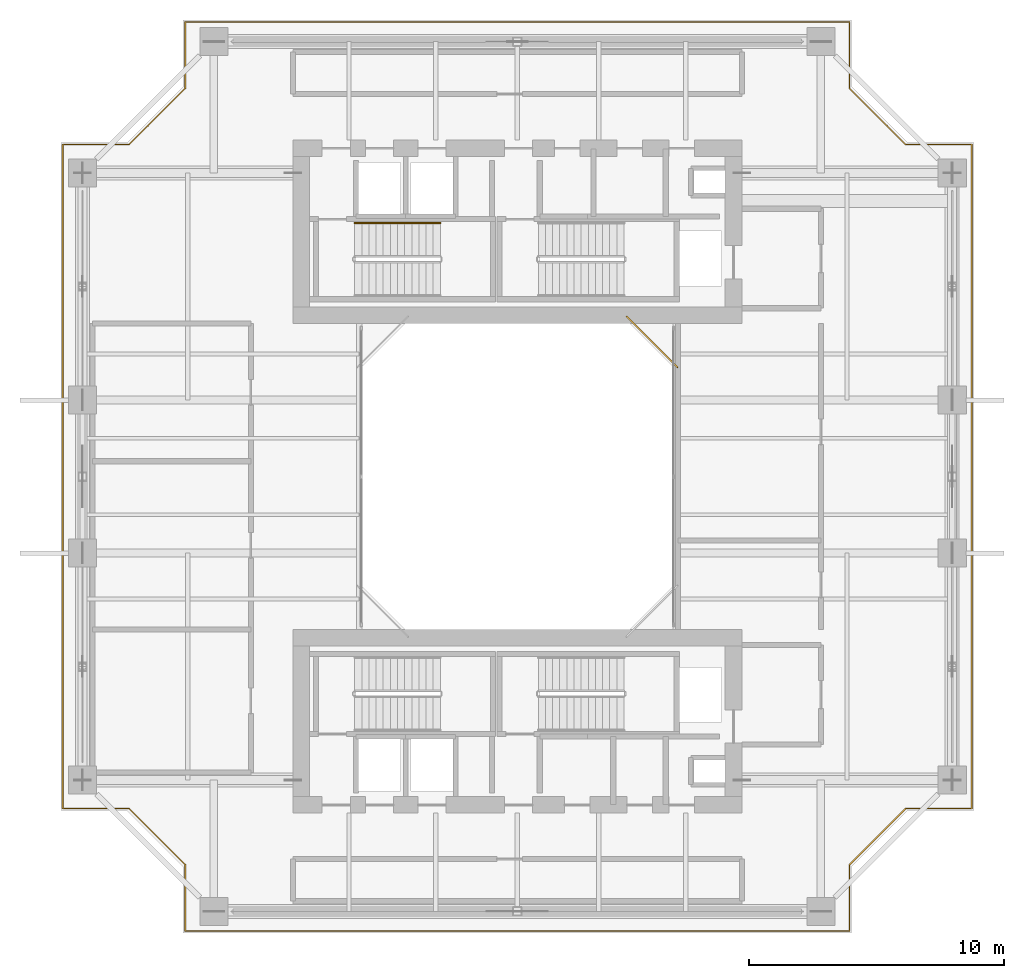
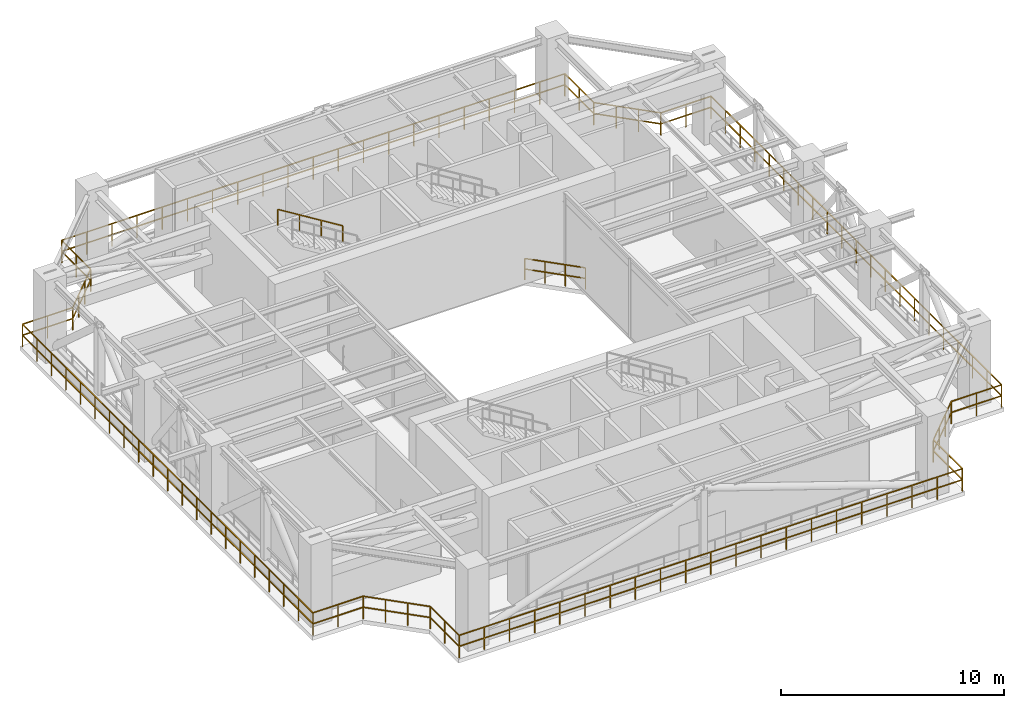
# One storey, part 10 of 11: 3 railings.
"""IFC4 building model written with IfcOpenShell, lengths in metres."""

from ifc_helpers import new_model, si_unit, direction, frame, origin, origin_2d, place, context, subcontext, project, spatial, rectangle, extrude, material, type_object, element, save


model = new_model("IFC4")

# Units and contexts
model_context = context("Model", 3, precision=1e-05, world=origin(), true_north=direction((0.0, 1.0)))
body_context = subcontext(model_context, "Body", "Model", "MODEL_VIEW")
ifc_project = project(units=[si_unit("LENGTHUNIT", "METRE"), si_unit("AREAUNIT", "SQUARE_METRE"), si_unit("VOLUMEUNIT", "CUBIC_METRE"), si_unit("PLANEANGLEUNIT", "RADIAN"), si_unit("MASSUNIT", "GRAM", prefix="KILO"), si_unit("THERMODYNAMICTEMPERATUREUNIT", "KELVIN"), si_unit("POWERUNIT", "WATT")], contexts=[model_context])

# Site, building, storey
site_placement = place(None, origin())
site = spatial("IfcSite", under=ifc_project, at=site_placement, CompositionType="ELEMENT")
building_placement = place(site_placement, origin())
building = spatial("IfcBuilding", under=site, at=building_placement, Name="Qiaomeng Ring Towers", CompositionType="ELEMENT")
storey_placement = place(building_placement, frame((0.0, 0.0, 139.25)))
storey = spatial("IfcBuildingStorey", under=building, at=storey_placement, Name="L40", CompositionType="ELEMENT", Elevation=139.25)

# Railings
ifc_material_1 = material(Name="Low-E pale-green laminated safety glass", Category="glass")
railing_type_1 = type_object("IfcRailingType", Name="ARC-RL-BAL1", PredefinedType="BALUSTRADE", material=ifc_material_1)
railing_1_placement = place(storey_placement, frame((25.280029296875, 27.280029296875, 0.0)))
element("IfcRailing", 1, at=railing_1_placement, inside=storey, type_object=railing_type_1, Name="L40 Balustrade ARC-BAL-WELL1-L40-2", PredefinedType="BALUSTRADE", context=body_context, shape_type="SweptSolid", body=[
    extrude(rectangle(XDim=0.048095703125, YDim=0.048095703125, at=origin_2d()), frame((0.0, 0.0, 1.17578125), z_axis=(-0.707106781187, 0.707106781187, 0.0), x_axis=(-0.707106781187, -0.707106781187, 0.0)), (0.0, 0.0, 1.0), 2.828369140625),
    extrude(rectangle(XDim=0.048095703125, YDim=0.048095703125, at=origin_2d()), frame((0.0, 0.0, 0.60009765625), z_axis=(-0.707106781187, 0.707106781187, 0.0), x_axis=(-0.707106781187, -0.707106781187, 0.0)), (0.0, 0.0, 1.0), 2.828369140625),
    extrude(rectangle(XDim=0.0419921875, YDim=0.0419921875, at=origin_2d()), origin(), (0.0, 0.0, 1.0), 1.15185546875),
    extrude(rectangle(XDim=0.0419921875, YDim=0.0419921875, at=origin_2d()), frame((-0.666748046875, 0.666748046875, 0.0)), (0.0, 0.0, 1.0), 1.15185546875),
    extrude(rectangle(XDim=0.0419921875, YDim=0.0419921875, at=origin_2d()), frame((-1.333251953125, 1.333251953125, 0.0)), (0.0, 0.0, 1.0), 1.15185546875),
    extrude(rectangle(XDim=0.0419921875, YDim=0.0419921875, at=origin_2d()), frame((-2.0, 2.0, 0.0)), (0.0, 0.0, 1.0), 1.15185546875),
])
ifc_material_2 = material(Name="Stainless steel 316", Category="steel")
railing_type_2 = type_object("IfcRailingType", Name="ARC-RL-BAL2", PredefinedType="BALUSTRADE", material=ifc_material_2)
railing_2_placement = place(storey_placement, frame((5.97998046875, 5.179931640625, 0.0)))
element("IfcRailing", 2, at=railing_2_placement, inside=storey, type_object=railing_type_2, Name="L40 Balustrade ARC-BAL-REF-RING-L40", PredefinedType="BALUSTRADE", context=body_context, shape_type="SweptSolid", body=[
    extrude(rectangle(XDim=0.048095703125, YDim=0.048095703125, at=origin_2d()), frame((0.0, 0.0, 1.22607421875), z_axis=(1.0, 0.0, 0.0), x_axis=(0.0, 1.0, 0.0)), (0.0, 0.0, 1.0), 26.0400390625),
    extrude(rectangle(XDim=0.048095703125, YDim=0.048095703125, at=origin_2d()), frame((0.0, 0.0, 0.625), z_axis=(1.0, 0.0, 0.0), x_axis=(0.0, 1.0, 0.0)), (0.0, 0.0, 1.0), 26.0400390625),
    extrude(rectangle(XDim=0.048095703125, YDim=0.048095703125, at=origin_2d()), frame((26.0400390625, 0.0, 1.22607421875), z_axis=(0.0, 1.0, 0.0), x_axis=(-1.0, 0.0, 0.0)), (0.0, 0.0, 1.0), 2.60009765625),
    extrude(rectangle(XDim=0.048095703125, YDim=0.048095703125, at=origin_2d()), frame((26.0400390625, 0.0, 0.625), z_axis=(0.0, 1.0, 0.0), x_axis=(-1.0, 0.0, 0.0)), (0.0, 0.0, 1.0), 2.60009765625),
    extrude(rectangle(XDim=0.048095703125, YDim=0.048095703125, at=origin_2d()), frame((26.0400390625, 2.60009765625, 1.22607421875), z_axis=(0.707106781187, 0.707106781187, 0.0), x_axis=(-0.707106781187, 0.707106781187, 0.0)), (0.0, 0.0, 1.0), 3.111083984375),
    extrude(rectangle(XDim=0.048095703125, YDim=0.048095703125, at=origin_2d()), frame((26.0400390625, 2.60009765625, 0.625), z_axis=(0.707106781187, 0.707106781187, 0.0), x_axis=(-0.707106781187, 0.707106781187, 0.0)), (0.0, 0.0, 1.0), 3.111083984375),
    extrude(rectangle(XDim=0.048095703125, YDim=0.048095703125, at=origin_2d()), frame((28.239990234375, 4.800048828125, 1.22607421875), z_axis=(1.0, 0.0, 0.0), x_axis=(0.0, 1.0, 0.0)), (0.0, 0.0, 1.0), 2.60009765625),
    extrude(rectangle(XDim=0.048095703125, YDim=0.048095703125, at=origin_2d()), frame((28.239990234375, 4.800048828125, 0.625), z_axis=(1.0, 0.0, 0.0), x_axis=(0.0, 1.0, 0.0)), (0.0, 0.0, 1.0), 2.60009765625),
    extrude(rectangle(XDim=0.048095703125, YDim=0.048095703125, at=origin_2d()), frame((30.840087890625, 4.800048828125, 1.22607421875), z_axis=(0.0, 1.0, 0.0), x_axis=(-1.0, 0.0, 0.0)), (0.0, 0.0, 1.0), 26.0400390625),
    extrude(rectangle(XDim=0.048095703125, YDim=0.048095703125, at=origin_2d()), frame((30.840087890625, 4.800048828125, 0.625), z_axis=(0.0, 1.0, 0.0), x_axis=(-1.0, 0.0, 0.0)), (0.0, 0.0, 1.0), 26.0400390625),
    extrude(rectangle(XDim=0.048095703125, YDim=0.048095703125, at=origin_2d()), frame((30.840087890625, 30.840087890625, 1.22607421875), z_axis=(-1.0, 0.0, 0.0), x_axis=(0.0, -1.0, 0.0)), (0.0, 0.0, 1.0), 2.60009765625),
    extrude(rectangle(XDim=0.048095703125, YDim=0.048095703125, at=origin_2d()), frame((30.840087890625, 30.840087890625, 0.625), z_axis=(-1.0, 0.0, 0.0), x_axis=(0.0, -1.0, 0.0)), (0.0, 0.0, 1.0), 2.60009765625),
    extrude(rectangle(XDim=0.048095703125, YDim=0.048095703125, at=origin_2d()), frame((28.239990234375, 30.840087890625, 1.22607421875), z_axis=(-0.707106781187, 0.707106781187, 0.0), x_axis=(-0.707106781187, -0.707106781187, 0.0)), (0.0, 0.0, 1.0), 3.111083984375),
    extrude(rectangle(XDim=0.048095703125, YDim=0.048095703125, at=origin_2d()), frame((28.239990234375, 30.840087890625, 0.625), z_axis=(-0.707106781187, 0.707106781187, 0.0), x_axis=(-0.707106781187, -0.707106781187, 0.0)), (0.0, 0.0, 1.0), 3.111083984375),
    extrude(rectangle(XDim=0.048095703125, YDim=0.048095703125, at=origin_2d()), frame((26.0400390625, 33.0400390625, 1.22607421875), z_axis=(0.0, 1.0, 0.0), x_axis=(-1.0, 0.0, 0.0)), (0.0, 0.0, 1.0), 2.60009765625),
    extrude(rectangle(XDim=0.048095703125, YDim=0.048095703125, at=origin_2d()), frame((26.0400390625, 33.0400390625, 0.625), z_axis=(0.0, 1.0, 0.0), x_axis=(-1.0, 0.0, 0.0)), (0.0, 0.0, 1.0), 2.60009765625),
    extrude(rectangle(XDim=0.048095703125, YDim=0.048095703125, at=origin_2d()), frame((26.0400390625, 35.64013671875, 1.22607421875), z_axis=(-1.0, 0.0, 0.0), x_axis=(0.0, -1.0, 0.0)), (0.0, 0.0, 1.0), 26.0400390625),
    extrude(rectangle(XDim=0.048095703125, YDim=0.048095703125, at=origin_2d()), frame((26.0400390625, 35.64013671875, 0.625), z_axis=(-1.0, 0.0, 0.0), x_axis=(0.0, -1.0, 0.0)), (0.0, 0.0, 1.0), 26.0400390625),
    extrude(rectangle(XDim=0.048095703125, YDim=0.048095703125, at=origin_2d()), frame((0.0, 35.64013671875, 1.22607421875), z_axis=(0.0, -1.0, 0.0), x_axis=(1.0, 0.0, 0.0)), (0.0, 0.0, 1.0), 2.60009765625),
    extrude(rectangle(XDim=0.048095703125, YDim=0.048095703125, at=origin_2d()), frame((0.0, 35.64013671875, 0.625), z_axis=(0.0, -1.0, 0.0), x_axis=(1.0, 0.0, 0.0)), (0.0, 0.0, 1.0), 2.60009765625),
    extrude(rectangle(XDim=0.048095703125, YDim=0.048095703125, at=origin_2d()), frame((0.0, 33.0400390625, 1.22607421875), z_axis=(-0.707106781187, -0.707106781187, 0.0), x_axis=(0.707106781187, -0.707106781187, 0.0)), (0.0, 0.0, 1.0), 3.111083984375),
    extrude(rectangle(XDim=0.048095703125, YDim=0.048095703125, at=origin_2d()), frame((0.0, 33.0400390625, 0.625), z_axis=(-0.707106781187, -0.707106781187, 0.0), x_axis=(0.707106781187, -0.707106781187, 0.0)), (0.0, 0.0, 1.0), 3.111083984375),
    extrude(rectangle(XDim=0.048095703125, YDim=0.048095703125, at=origin_2d()), frame((-2.199951171875, 30.840087890625, 1.22607421875), z_axis=(-1.0, 0.0, 0.0), x_axis=(0.0, -1.0, 0.0)), (0.0, 0.0, 1.0), 2.60009765625),
    extrude(rectangle(XDim=0.048095703125, YDim=0.048095703125, at=origin_2d()), frame((-2.199951171875, 30.840087890625, 0.625), z_axis=(-1.0, 0.0, 0.0), x_axis=(0.0, -1.0, 0.0)), (0.0, 0.0, 1.0), 2.60009765625),
    extrude(rectangle(XDim=0.048095703125, YDim=0.048095703125, at=origin_2d()), frame((-4.800048828125, 30.840087890625, 1.22607421875), z_axis=(0.0, -1.0, 0.0), x_axis=(1.0, 0.0, 0.0)), (0.0, 0.0, 1.0), 26.0400390625),
    extrude(rectangle(XDim=0.048095703125, YDim=0.048095703125, at=origin_2d()), frame((-4.800048828125, 30.840087890625, 0.625), z_axis=(0.0, -1.0, 0.0), x_axis=(1.0, 0.0, 0.0)), (0.0, 0.0, 1.0), 26.0400390625),
    extrude(rectangle(XDim=0.048095703125, YDim=0.048095703125, at=origin_2d()), frame((-4.800048828125, 4.800048828125, 1.22607421875), z_axis=(1.0, 0.0, 0.0), x_axis=(0.0, 1.0, 0.0)), (0.0, 0.0, 1.0), 2.60009765625),
    extrude(rectangle(XDim=0.048095703125, YDim=0.048095703125, at=origin_2d()), frame((-4.800048828125, 4.800048828125, 0.625), z_axis=(1.0, 0.0, 0.0), x_axis=(0.0, 1.0, 0.0)), (0.0, 0.0, 1.0), 2.60009765625),
    extrude(rectangle(XDim=0.048095703125, YDim=0.048095703125, at=origin_2d()), frame((-2.199951171875, 4.800048828125, 1.22607421875), z_axis=(0.707106781187, -0.707106781187, 0.0), x_axis=(0.707106781187, 0.707106781187, 0.0)), (0.0, 0.0, 1.0), 3.111083984375),
    extrude(rectangle(XDim=0.048095703125, YDim=0.048095703125, at=origin_2d()), frame((-2.199951171875, 4.800048828125, 0.625), z_axis=(0.707106781187, -0.707106781187, 0.0), x_axis=(0.707106781187, 0.707106781187, 0.0)), (0.0, 0.0, 1.0), 3.111083984375),
    extrude(rectangle(XDim=0.048095703125, YDim=0.048095703125, at=origin_2d()), frame((0.0, 2.60009765625, 1.22607421875), z_axis=(0.0, -1.0, 0.0), x_axis=(1.0, 0.0, 0.0)), (0.0, 0.0, 1.0), 2.60009765625),
    extrude(rectangle(XDim=0.048095703125, YDim=0.048095703125, at=origin_2d()), frame((0.0, 2.60009765625, 0.625), z_axis=(0.0, -1.0, 0.0), x_axis=(1.0, 0.0, 0.0)), (0.0, 0.0, 1.0), 2.60009765625),
    extrude(rectangle(XDim=0.0419921875, YDim=0.0419921875, at=origin_2d()), origin(), (0.0, 0.0, 1.0), 1.201904296875),
    extrude(rectangle(XDim=0.0419921875, YDim=0.0419921875, at=origin_2d()), frame((1.302001953125, 0.0, 0.0)), (0.0, 0.0, 1.0), 1.201904296875),
    extrude(rectangle(XDim=0.0419921875, YDim=0.0419921875, at=origin_2d()), frame((2.60400390625, 0.0, 0.0)), (0.0, 0.0, 1.0), 1.201904296875),
    extrude(rectangle(XDim=0.0419921875, YDim=0.0419921875, at=origin_2d()), frame((3.906005859375, 0.0, 0.0)), (0.0, 0.0, 1.0), 1.201904296875),
    extrude(rectangle(XDim=0.0419921875, YDim=0.0419921875, at=origin_2d()), frame((5.2080078125, 0.0, 0.0)), (0.0, 0.0, 1.0), 1.201904296875),
    extrude(rectangle(XDim=0.0419921875, YDim=0.0419921875, at=origin_2d()), frame((6.510009765625, 0.0, 0.0)), (0.0, 0.0, 1.0), 1.201904296875),
    extrude(rectangle(XDim=0.0419921875, YDim=0.0419921875, at=origin_2d()), frame((7.81201171875, 0.0, 0.0)), (0.0, 0.0, 1.0), 1.201904296875),
    extrude(rectangle(XDim=0.0419921875, YDim=0.0419921875, at=origin_2d()), frame((9.114013671875, 0.0, 0.0)), (0.0, 0.0, 1.0), 1.201904296875),
    extrude(rectangle(XDim=0.0419921875, YDim=0.0419921875, at=origin_2d()), frame((10.416015625, 0.0, 0.0)), (0.0, 0.0, 1.0), 1.201904296875),
    extrude(rectangle(XDim=0.0419921875, YDim=0.0419921875, at=origin_2d()), frame((11.718017578125, 0.0, 0.0)), (0.0, 0.0, 1.0), 1.201904296875),
    extrude(rectangle(XDim=0.0419921875, YDim=0.0419921875, at=origin_2d()), frame((13.02001953125, 0.0, 0.0)), (0.0, 0.0, 1.0), 1.201904296875),
    extrude(rectangle(XDim=0.0419921875, YDim=0.0419921875, at=origin_2d()), frame((14.322021484375, 0.0, 0.0)), (0.0, 0.0, 1.0), 1.201904296875),
    extrude(rectangle(XDim=0.0419921875, YDim=0.0419921875, at=origin_2d()), frame((15.6240234375, 0.0, 0.0)), (0.0, 0.0, 1.0), 1.201904296875),
    extrude(rectangle(XDim=0.0419921875, YDim=0.0419921875, at=origin_2d()), frame((16.926025390625, 0.0, 0.0)), (0.0, 0.0, 1.0), 1.201904296875),
    extrude(rectangle(XDim=0.0419921875, YDim=0.0419921875, at=origin_2d()), frame((18.22802734375, 0.0, 0.0)), (0.0, 0.0, 1.0), 1.201904296875),
    extrude(rectangle(XDim=0.0419921875, YDim=0.0419921875, at=origin_2d()), frame((19.530029296875, 0.0, 0.0)), (0.0, 0.0, 1.0), 1.201904296875),
    extrude(rectangle(XDim=0.0419921875, YDim=0.0419921875, at=origin_2d()), frame((20.83203125, 0.0, 0.0)), (0.0, 0.0, 1.0), 1.201904296875),
    extrude(rectangle(XDim=0.0419921875, YDim=0.0419921875, at=origin_2d()), frame((22.134033203125, 0.0, 0.0)), (0.0, 0.0, 1.0), 1.201904296875),
    extrude(rectangle(XDim=0.0419921875, YDim=0.0419921875, at=origin_2d()), frame((23.43603515625, 0.0, 0.0)), (0.0, 0.0, 1.0), 1.201904296875),
    extrude(rectangle(XDim=0.0419921875, YDim=0.0419921875, at=origin_2d()), frame((24.738037109375, 0.0, 0.0)), (0.0, 0.0, 1.0), 1.201904296875),
    extrude(rectangle(XDim=0.0419921875, YDim=0.0419921875, at=origin_2d()), frame((26.0400390625, 0.0, 0.0)), (0.0, 0.0, 1.0), 1.201904296875),
    extrude(rectangle(XDim=0.0419921875, YDim=0.0419921875, at=origin_2d()), frame((26.0400390625, 1.300048828125, 0.0)), (0.0, 0.0, 1.0), 1.201904296875),
    extrude(rectangle(XDim=0.0419921875, YDim=0.0419921875, at=origin_2d()), frame((26.0400390625, 2.60009765625, 0.0)), (0.0, 0.0, 1.0), 1.201904296875),
    extrude(rectangle(XDim=0.0419921875, YDim=0.0419921875, at=origin_2d()), frame((26.7734375, 3.33349609375, 0.0)), (0.0, 0.0, 1.0), 1.201904296875),
    extrude(rectangle(XDim=0.0419921875, YDim=0.0419921875, at=origin_2d()), frame((27.506591796875, 4.066650390625, 0.0)), (0.0, 0.0, 1.0), 1.201904296875),
    extrude(rectangle(XDim=0.0419921875, YDim=0.0419921875, at=origin_2d()), frame((28.239990234375, 4.800048828125, 0.0)), (0.0, 0.0, 1.0), 1.201904296875),
    extrude(rectangle(XDim=0.0419921875, YDim=0.0419921875, at=origin_2d()), frame((29.5400390625, 4.800048828125, 0.0)), (0.0, 0.0, 1.0), 1.201904296875),
    extrude(rectangle(XDim=0.0419921875, YDim=0.0419921875, at=origin_2d()), frame((30.840087890625, 4.800048828125, 0.0)), (0.0, 0.0, 1.0), 1.201904296875),
    extrude(rectangle(XDim=0.0419921875, YDim=0.0419921875, at=origin_2d()), frame((30.840087890625, 6.10205078125, 0.0)), (0.0, 0.0, 1.0), 1.201904296875),
    extrude(rectangle(XDim=0.0419921875, YDim=0.0419921875, at=origin_2d()), frame((30.840087890625, 7.404052734375, 0.0)), (0.0, 0.0, 1.0), 1.201904296875),
    extrude(rectangle(XDim=0.0419921875, YDim=0.0419921875, at=origin_2d()), frame((30.840087890625, 8.7060546875, 0.0)), (0.0, 0.0, 1.0), 1.201904296875),
    extrude(rectangle(XDim=0.0419921875, YDim=0.0419921875, at=origin_2d()), frame((30.840087890625, 10.008056640625, 0.0)), (0.0, 0.0, 1.0), 1.201904296875),
    extrude(rectangle(XDim=0.0419921875, YDim=0.0419921875, at=origin_2d()), frame((30.840087890625, 11.31005859375, 0.0)), (0.0, 0.0, 1.0), 1.201904296875),
    extrude(rectangle(XDim=0.0419921875, YDim=0.0419921875, at=origin_2d()), frame((30.840087890625, 12.612060546875, 0.0)), (0.0, 0.0, 1.0), 1.201904296875),
    extrude(rectangle(XDim=0.0419921875, YDim=0.0419921875, at=origin_2d()), frame((30.840087890625, 13.9140625, 0.0)), (0.0, 0.0, 1.0), 1.201904296875),
    extrude(rectangle(XDim=0.0419921875, YDim=0.0419921875, at=origin_2d()), frame((30.840087890625, 15.216064453125, 0.0)), (0.0, 0.0, 1.0), 1.201904296875),
    extrude(rectangle(XDim=0.0419921875, YDim=0.0419921875, at=origin_2d()), frame((30.840087890625, 16.51806640625, 0.0)), (0.0, 0.0, 1.0), 1.201904296875),
    extrude(rectangle(XDim=0.0419921875, YDim=0.0419921875, at=origin_2d()), frame((30.840087890625, 17.820068359375, 0.0)), (0.0, 0.0, 1.0), 1.201904296875),
    extrude(rectangle(XDim=0.0419921875, YDim=0.0419921875, at=origin_2d()), frame((30.840087890625, 19.1220703125, 0.0)), (0.0, 0.0, 1.0), 1.201904296875),
    extrude(rectangle(XDim=0.0419921875, YDim=0.0419921875, at=origin_2d()), frame((30.840087890625, 20.424072265625, 0.0)), (0.0, 0.0, 1.0), 1.201904296875),
    extrude(rectangle(XDim=0.0419921875, YDim=0.0419921875, at=origin_2d()), frame((30.840087890625, 21.72607421875, 0.0)), (0.0, 0.0, 1.0), 1.201904296875),
    extrude(rectangle(XDim=0.0419921875, YDim=0.0419921875, at=origin_2d()), frame((30.840087890625, 23.028076171875, 0.0)), (0.0, 0.0, 1.0), 1.201904296875),
    extrude(rectangle(XDim=0.0419921875, YDim=0.0419921875, at=origin_2d()), frame((30.840087890625, 24.330078125, 0.0)), (0.0, 0.0, 1.0), 1.201904296875),
    extrude(rectangle(XDim=0.0419921875, YDim=0.0419921875, at=origin_2d()), frame((30.840087890625, 25.632080078125, 0.0)), (0.0, 0.0, 1.0), 1.201904296875),
    extrude(rectangle(XDim=0.0419921875, YDim=0.0419921875, at=origin_2d()), frame((30.840087890625, 26.93408203125, 0.0)), (0.0, 0.0, 1.0), 1.201904296875),
    extrude(rectangle(XDim=0.0419921875, YDim=0.0419921875, at=origin_2d()), frame((30.840087890625, 28.236083984375, 0.0)), (0.0, 0.0, 1.0), 1.201904296875),
    extrude(rectangle(XDim=0.0419921875, YDim=0.0419921875, at=origin_2d()), frame((30.840087890625, 29.5380859375, 0.0)), (0.0, 0.0, 1.0), 1.201904296875),
    extrude(rectangle(XDim=0.0419921875, YDim=0.0419921875, at=origin_2d()), frame((30.840087890625, 30.840087890625, 0.0)), (0.0, 0.0, 1.0), 1.201904296875),
    extrude(rectangle(XDim=0.0419921875, YDim=0.0419921875, at=origin_2d()), frame((29.5400390625, 30.840087890625, 0.0)), (0.0, 0.0, 1.0), 1.201904296875),
    extrude(rectangle(XDim=0.0419921875, YDim=0.0419921875, at=origin_2d()), frame((28.239990234375, 30.840087890625, 0.0)), (0.0, 0.0, 1.0), 1.201904296875),
    extrude(rectangle(XDim=0.0419921875, YDim=0.0419921875, at=origin_2d()), frame((27.506591796875, 31.573486328125, 0.0)), (0.0, 0.0, 1.0), 1.201904296875),
    extrude(rectangle(XDim=0.0419921875, YDim=0.0419921875, at=origin_2d()), frame((26.7734375, 32.306640625, 0.0)), (0.0, 0.0, 1.0), 1.201904296875),
    extrude(rectangle(XDim=0.0419921875, YDim=0.0419921875, at=origin_2d()), frame((26.0400390625, 33.0400390625, 0.0)), (0.0, 0.0, 1.0), 1.201904296875),
    extrude(rectangle(XDim=0.0419921875, YDim=0.0419921875, at=origin_2d()), frame((26.0400390625, 34.340087890625, 0.0)), (0.0, 0.0, 1.0), 1.201904296875),
    extrude(rectangle(XDim=0.0419921875, YDim=0.0419921875, at=origin_2d()), frame((26.0400390625, 35.64013671875, 0.0)), (0.0, 0.0, 1.0), 1.201904296875),
    extrude(rectangle(XDim=0.0419921875, YDim=0.0419921875, at=origin_2d()), frame((24.738037109375, 35.64013671875, 0.0)), (0.0, 0.0, 1.0), 1.201904296875),
    extrude(rectangle(XDim=0.0419921875, YDim=0.0419921875, at=origin_2d()), frame((23.43603515625, 35.64013671875, 0.0)), (0.0, 0.0, 1.0), 1.201904296875),
    extrude(rectangle(XDim=0.0419921875, YDim=0.0419921875, at=origin_2d()), frame((22.134033203125, 35.64013671875, 0.0)), (0.0, 0.0, 1.0), 1.201904296875),
    extrude(rectangle(XDim=0.0419921875, YDim=0.0419921875, at=origin_2d()), frame((20.83203125, 35.64013671875, 0.0)), (0.0, 0.0, 1.0), 1.201904296875),
    extrude(rectangle(XDim=0.0419921875, YDim=0.0419921875, at=origin_2d()), frame((19.530029296875, 35.64013671875, 0.0)), (0.0, 0.0, 1.0), 1.201904296875),
    extrude(rectangle(XDim=0.0419921875, YDim=0.0419921875, at=origin_2d()), frame((18.22802734375, 35.64013671875, 0.0)), (0.0, 0.0, 1.0), 1.201904296875),
    extrude(rectangle(XDim=0.0419921875, YDim=0.0419921875, at=origin_2d()), frame((16.926025390625, 35.64013671875, 0.0)), (0.0, 0.0, 1.0), 1.201904296875),
    extrude(rectangle(XDim=0.0419921875, YDim=0.0419921875, at=origin_2d()), frame((15.6240234375, 35.64013671875, 0.0)), (0.0, 0.0, 1.0), 1.201904296875),
    extrude(rectangle(XDim=0.0419921875, YDim=0.0419921875, at=origin_2d()), frame((14.322021484375, 35.64013671875, 0.0)), (0.0, 0.0, 1.0), 1.201904296875),
    extrude(rectangle(XDim=0.0419921875, YDim=0.0419921875, at=origin_2d()), frame((13.02001953125, 35.64013671875, 0.0)), (0.0, 0.0, 1.0), 1.201904296875),
    extrude(rectangle(XDim=0.0419921875, YDim=0.0419921875, at=origin_2d()), frame((11.718017578125, 35.64013671875, 0.0)), (0.0, 0.0, 1.0), 1.201904296875),
    extrude(rectangle(XDim=0.0419921875, YDim=0.0419921875, at=origin_2d()), frame((10.416015625, 35.64013671875, 0.0)), (0.0, 0.0, 1.0), 1.201904296875),
    extrude(rectangle(XDim=0.0419921875, YDim=0.0419921875, at=origin_2d()), frame((9.114013671875, 35.64013671875, 0.0)), (0.0, 0.0, 1.0), 1.201904296875),
    extrude(rectangle(XDim=0.0419921875, YDim=0.0419921875, at=origin_2d()), frame((7.81201171875, 35.64013671875, 0.0)), (0.0, 0.0, 1.0), 1.201904296875),
    extrude(rectangle(XDim=0.0419921875, YDim=0.0419921875, at=origin_2d()), frame((6.510009765625, 35.64013671875, 0.0)), (0.0, 0.0, 1.0), 1.201904296875),
    extrude(rectangle(XDim=0.0419921875, YDim=0.0419921875, at=origin_2d()), frame((5.2080078125, 35.64013671875, 0.0)), (0.0, 0.0, 1.0), 1.201904296875),
    extrude(rectangle(XDim=0.0419921875, YDim=0.0419921875, at=origin_2d()), frame((3.906005859375, 35.64013671875, 0.0)), (0.0, 0.0, 1.0), 1.201904296875),
    extrude(rectangle(XDim=0.0419921875, YDim=0.0419921875, at=origin_2d()), frame((2.60400390625, 35.64013671875, 0.0)), (0.0, 0.0, 1.0), 1.201904296875),
    extrude(rectangle(XDim=0.0419921875, YDim=0.0419921875, at=origin_2d()), frame((1.302001953125, 35.64013671875, 0.0)), (0.0, 0.0, 1.0), 1.201904296875),
    extrude(rectangle(XDim=0.0419921875, YDim=0.0419921875, at=origin_2d()), frame((0.0, 35.64013671875, 0.0)), (0.0, 0.0, 1.0), 1.201904296875),
    extrude(rectangle(XDim=0.0419921875, YDim=0.0419921875, at=origin_2d()), frame((0.0, 34.340087890625, 0.0)), (0.0, 0.0, 1.0), 1.201904296875),
    extrude(rectangle(XDim=0.0419921875, YDim=0.0419921875, at=origin_2d()), frame((0.0, 33.0400390625, 0.0)), (0.0, 0.0, 1.0), 1.201904296875),
    extrude(rectangle(XDim=0.0419921875, YDim=0.0419921875, at=origin_2d()), frame((-0.7333984375, 32.306640625, 0.0)), (0.0, 0.0, 1.0), 1.201904296875),
    extrude(rectangle(XDim=0.0419921875, YDim=0.0419921875, at=origin_2d()), frame((-1.466552734375, 31.573486328125, 0.0)), (0.0, 0.0, 1.0), 1.201904296875),
    extrude(rectangle(XDim=0.0419921875, YDim=0.0419921875, at=origin_2d()), frame((-2.199951171875, 30.840087890625, 0.0)), (0.0, 0.0, 1.0), 1.201904296875),
    extrude(rectangle(XDim=0.0419921875, YDim=0.0419921875, at=origin_2d()), frame((-3.5, 30.840087890625, 0.0)), (0.0, 0.0, 1.0), 1.201904296875),
    extrude(rectangle(XDim=0.0419921875, YDim=0.0419921875, at=origin_2d()), frame((-4.800048828125, 30.840087890625, 0.0)), (0.0, 0.0, 1.0), 1.201904296875),
    extrude(rectangle(XDim=0.0419921875, YDim=0.0419921875, at=origin_2d()), frame((-4.800048828125, 29.5380859375, 0.0)), (0.0, 0.0, 1.0), 1.201904296875),
    extrude(rectangle(XDim=0.0419921875, YDim=0.0419921875, at=origin_2d()), frame((-4.800048828125, 28.236083984375, 0.0)), (0.0, 0.0, 1.0), 1.201904296875),
    extrude(rectangle(XDim=0.0419921875, YDim=0.0419921875, at=origin_2d()), frame((-4.800048828125, 26.93408203125, 0.0)), (0.0, 0.0, 1.0), 1.201904296875),
    extrude(rectangle(XDim=0.0419921875, YDim=0.0419921875, at=origin_2d()), frame((-4.800048828125, 25.632080078125, 0.0)), (0.0, 0.0, 1.0), 1.201904296875),
    extrude(rectangle(XDim=0.0419921875, YDim=0.0419921875, at=origin_2d()), frame((-4.800048828125, 24.330078125, 0.0)), (0.0, 0.0, 1.0), 1.201904296875),
    extrude(rectangle(XDim=0.0419921875, YDim=0.0419921875, at=origin_2d()), frame((-4.800048828125, 23.028076171875, 0.0)), (0.0, 0.0, 1.0), 1.201904296875),
    extrude(rectangle(XDim=0.0419921875, YDim=0.0419921875, at=origin_2d()), frame((-4.800048828125, 21.72607421875, 0.0)), (0.0, 0.0, 1.0), 1.201904296875),
    extrude(rectangle(XDim=0.0419921875, YDim=0.0419921875, at=origin_2d()), frame((-4.800048828125, 20.424072265625, 0.0)), (0.0, 0.0, 1.0), 1.201904296875),
    extrude(rectangle(XDim=0.0419921875, YDim=0.0419921875, at=origin_2d()), frame((-4.800048828125, 19.1220703125, 0.0)), (0.0, 0.0, 1.0), 1.201904296875),
    extrude(rectangle(XDim=0.0419921875, YDim=0.0419921875, at=origin_2d()), frame((-4.800048828125, 17.820068359375, 0.0)), (0.0, 0.0, 1.0), 1.201904296875),
    extrude(rectangle(XDim=0.0419921875, YDim=0.0419921875, at=origin_2d()), frame((-4.800048828125, 16.51806640625, 0.0)), (0.0, 0.0, 1.0), 1.201904296875),
    extrude(rectangle(XDim=0.0419921875, YDim=0.0419921875, at=origin_2d()), frame((-4.800048828125, 15.216064453125, 0.0)), (0.0, 0.0, 1.0), 1.201904296875),
    extrude(rectangle(XDim=0.0419921875, YDim=0.0419921875, at=origin_2d()), frame((-4.800048828125, 13.9140625, 0.0)), (0.0, 0.0, 1.0), 1.201904296875),
    extrude(rectangle(XDim=0.0419921875, YDim=0.0419921875, at=origin_2d()), frame((-4.800048828125, 12.612060546875, 0.0)), (0.0, 0.0, 1.0), 1.201904296875),
    extrude(rectangle(XDim=0.0419921875, YDim=0.0419921875, at=origin_2d()), frame((-4.800048828125, 11.31005859375, 0.0)), (0.0, 0.0, 1.0), 1.201904296875),
    extrude(rectangle(XDim=0.0419921875, YDim=0.0419921875, at=origin_2d()), frame((-4.800048828125, 10.008056640625, 0.0)), (0.0, 0.0, 1.0), 1.201904296875),
    extrude(rectangle(XDim=0.0419921875, YDim=0.0419921875, at=origin_2d()), frame((-4.800048828125, 8.7060546875, 0.0)), (0.0, 0.0, 1.0), 1.201904296875),
    extrude(rectangle(XDim=0.0419921875, YDim=0.0419921875, at=origin_2d()), frame((-4.800048828125, 7.404052734375, 0.0)), (0.0, 0.0, 1.0), 1.201904296875),
    extrude(rectangle(XDim=0.0419921875, YDim=0.0419921875, at=origin_2d()), frame((-4.800048828125, 6.10205078125, 0.0)), (0.0, 0.0, 1.0), 1.201904296875),
    extrude(rectangle(XDim=0.0419921875, YDim=0.0419921875, at=origin_2d()), frame((-4.800048828125, 4.800048828125, 0.0)), (0.0, 0.0, 1.0), 1.201904296875),
    extrude(rectangle(XDim=0.0419921875, YDim=0.0419921875, at=origin_2d()), frame((-3.5, 4.800048828125, 0.0)), (0.0, 0.0, 1.0), 1.201904296875),
    extrude(rectangle(XDim=0.0419921875, YDim=0.0419921875, at=origin_2d()), frame((-2.199951171875, 4.800048828125, 0.0)), (0.0, 0.0, 1.0), 1.201904296875),
    extrude(rectangle(XDim=0.0419921875, YDim=0.0419921875, at=origin_2d()), frame((-1.466552734375, 4.066650390625, 0.0)), (0.0, 0.0, 1.0), 1.201904296875),
    extrude(rectangle(XDim=0.0419921875, YDim=0.0419921875, at=origin_2d()), frame((-0.7333984375, 3.33349609375, 0.0)), (0.0, 0.0, 1.0), 1.201904296875),
    extrude(rectangle(XDim=0.0419921875, YDim=0.0419921875, at=origin_2d()), frame((0.0, 2.60009765625, 0.0)), (0.0, 0.0, 1.0), 1.201904296875),
    extrude(rectangle(XDim=0.0419921875, YDim=0.0419921875, at=origin_2d()), frame((0.0, 1.300048828125, 0.0)), (0.0, 0.0, 1.0), 1.201904296875),
])
railing_type_3 = type_object("IfcRailingType", Name="ARC-RL-HAND", PredefinedType="HANDRAIL", material=ifc_material_2)
railing_3_placement = place(storey_placement, frame((15.97998046875, 32.93994140625, 2.423095703125)))
element("IfcRailing", 3, at=railing_3_placement, inside=storey, type_object=railing_type_3, Name="L40 ST1 stair handrail 2", PredefinedType="HANDRAIL", context=body_context, shape_type="SweptSolid", body=[
    extrude(rectangle(XDim=0.048095703125, YDim=0.048095703125, at=origin_2d()), frame((0.0, 0.0, 0.8759765625), z_axis=(-0.850606129759, 0.0, 0.525803396734), x_axis=(0.0, -1.0, 0.0)), (0.0, 0.0, 1.0), 3.949951171875),
    extrude(rectangle(XDim=0.0419921875, YDim=0.0419921875, at=origin_2d()), origin(), (0.0, 0.0, 1.0), 0.851806640625),
    extrude(rectangle(XDim=0.0419921875, YDim=0.0419921875, at=origin_2d()), frame((-1.119873046875, 0.0, 0.6923828125)), (0.0, 0.0, 1.0), 0.851806640625),
    extrude(rectangle(XDim=0.0419921875, YDim=0.0419921875, at=origin_2d()), frame((-2.239990234375, 0.0, 1.384521484375)), (0.0, 0.0, 1.0), 0.851806640625),
    extrude(rectangle(XDim=0.0419921875, YDim=0.0419921875, at=origin_2d()), frame((-3.35986328125, 0.0, 2.076904296875)), (0.0, 0.0, 1.0), 0.851806640625),
])

save(model, "model.ifc")
